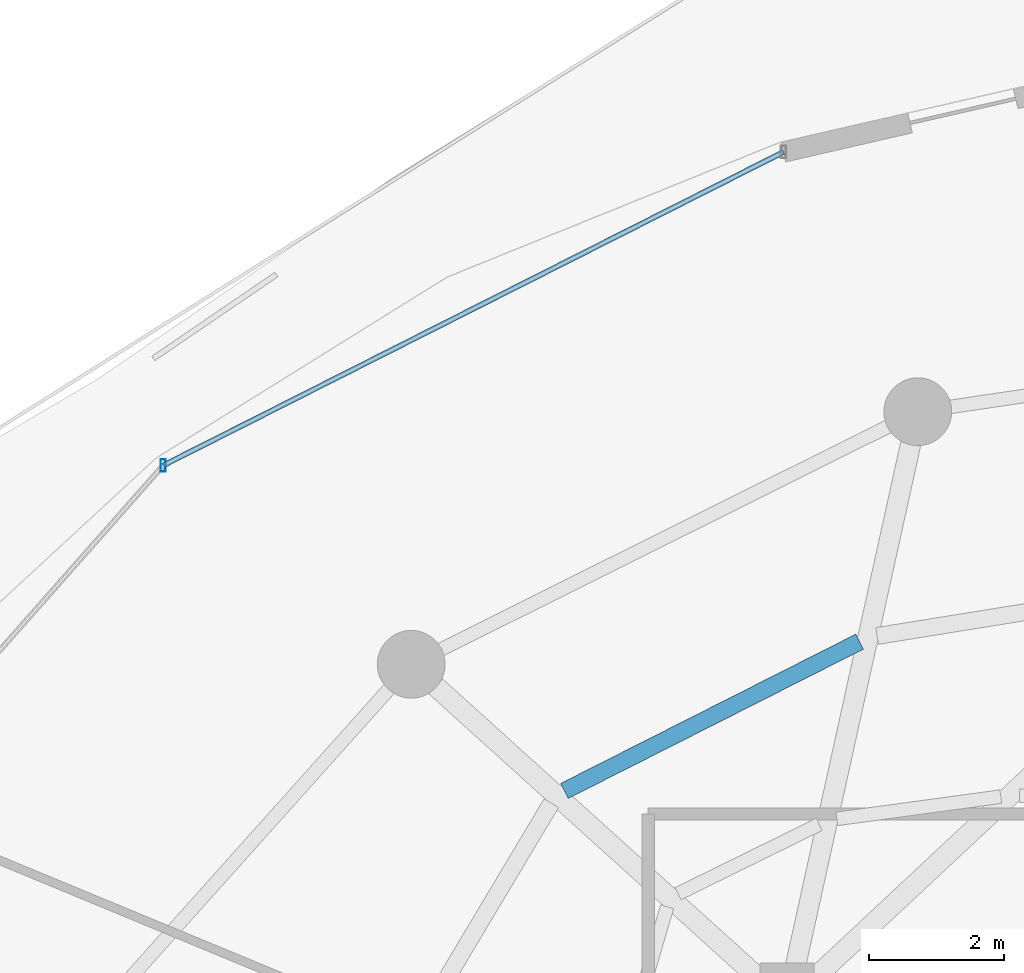
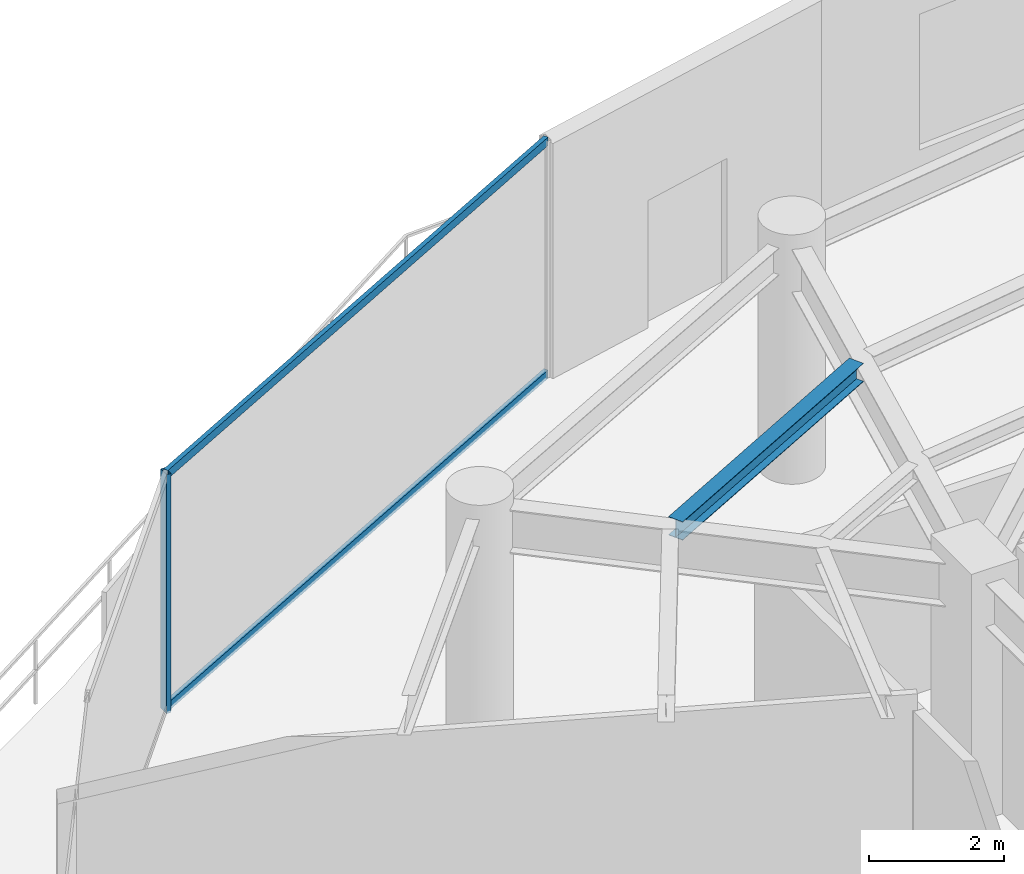
# One storey, part 18 of 31: 3 members, 1 beam, 1 element without a shape of its own.
"""IFC4 building model written with IfcOpenShell, lengths in metres."""

from ifc_helpers import new_model, si_unit, direction, frame, origin, origin_2d, place, context, subcontext, project, spatial, hollow_rectangle, i_section, extrude, material, material_profile, profile_set, type_object, element, aggregate, save


model = new_model("IFC4")

# Units and contexts
model_context = context("Model", 3, precision=1e-05, world=origin(), true_north=direction((0.0, 1.0)))
body_context = subcontext(model_context, "Body", "Model", "MODEL_VIEW")
ifc_project = project(units=[si_unit("LENGTHUNIT", "METRE"), si_unit("AREAUNIT", "SQUARE_METRE"), si_unit("VOLUMEUNIT", "CUBIC_METRE"), si_unit("PLANEANGLEUNIT", "RADIAN"), si_unit("MASSUNIT", "GRAM", prefix="KILO")], contexts=[model_context])

# Site, building, storey
site_placement = place(None, origin())
site = spatial("IfcSite", under=ifc_project, at=site_placement, CompositionType="ELEMENT")
building_placement = place(site_placement, origin())
building = spatial("IfcBuilding", under=site, at=building_placement, Name="Vorneva Point Tower", CompositionType="ELEMENT")
storey_placement = place(building_placement, frame((0.0, 0.0, 174.60009765625)))
storey = spatial("IfcBuildingStorey", under=building, at=storey_placement, Name="L47", CompositionType="ELEMENT", Elevation=174.60009765625)

# Beam
ifc_material_1 = material(Name="Steel S355", Category="steel")
ifc_material_profile_1 = material_profile(ifc_material_1, i_section(OverallWidth=0.2490234375, OverallDepth=0.333984375, WebThickness=0.008056640625, FlangeThickness=0.010986328125, at=origin_2d()), Name="35Sh1")
ifc_profile_set_1 = profile_set([ifc_material_profile_1], Name="Steel S355")
beam_type = type_object("IfcBeamType", Name="BM-SEC-35Sh1", PredefinedType="BEAM", material=ifc_profile_set_1)
beam_placement = place(storey_placement, frame((28.320556640625, 38.496337890625, 4.072998046875), z_axis=(-0.892388118376, -0.451268707292, 0.0), x_axis=(0.451268707292, -0.892388118376, 0.0)))
element("IfcBeam", 1, at=beam_placement, inside=storey, type_object=beam_type, Name="L47 Secondary Floor Beam 1.06", PredefinedType="BEAM", context=body_context, shape_type="SweptSolid", body=[
    extrude(i_section(OverallWidth=0.2490234375, OverallDepth=0.333984375, WebThickness=0.008056640625, FlangeThickness=0.010986328125, at=origin_2d()), origin(), (0.0, 0.0, 1.0), 4.883056640625),
])

# Curtain wall, members
ifc_material_2 = material(Name="Pale anodised aluminium", Category="aluminium")
curtain_wall_type = type_object("IfcCurtainWallType", Name="CW-SKY-SYS", PredefinedType="NOTDEFINED", material=ifc_material_2)
curtain_wall_placement = place(storey_placement, origin())
curtain_wall = element("IfcCurtainWall", 2, at=curtain_wall_placement, inside=storey, type_object=curtain_wall_type, Name="L47 Unitised Curtain Wall CW-L47-R03", PredefinedType="NOTDEFINED")
ifc_material_profile_2 = material_profile(ifc_material_2, hollow_rectangle(XDim=0.074951171875, YDim=0.179931640625, WallThickness=0.00390625, at=origin_2d()), Name="AL-MUL 180x75x4")
ifc_profile_set_2 = profile_set([ifc_material_profile_2], Name="Pale anodised aluminium")
member_type_1 = type_object("IfcMemberType", Name="CW-MUL-180", PredefinedType="MULLION", material=ifc_profile_set_2)
member_1_placement = place(storey_placement, frame((18.038330078125, 41.0966796875, -0.0400390625), z_axis=(0.0, 0.0, 1.0), x_axis=(1.0, 0.0, 0.0)))
member_1 = element("IfcMember", 3, at=member_1_placement, type_object=member_type_1, Name="CW-L47-R03 Mullion 02", PredefinedType="MULLION", context=body_context, shape_type="SweptSolid", body=[
    extrude(hollow_rectangle(XDim=0.074951171875, YDim=0.179931640625, WallThickness=0.00390625, at=origin_2d()), origin(), (0.0, 0.0, 1.0), 4.31005859375),
])
ifc_material_profile_3 = material_profile(ifc_material_2, hollow_rectangle(XDim=0.074951171875, YDim=0.14990234375, WallThickness=0.00390625, at=origin_2d()), Name="AL-TRN 150x75x4")
ifc_profile_set_3 = profile_set([ifc_material_profile_3], Name="Pale anodised aluminium")
member_type_2 = type_object("IfcMemberType", Name="CW-TRN-150", PredefinedType="USERDEFINED", material=ifc_profile_set_3)
member_2_placement = place(storey_placement, frame((27.19677734375, 45.724853515625, 0.02001953125), z_axis=(-0.892510927709, -0.451025768576, 0.0), x_axis=(0.451025768576, -0.892510927709, 0.0)))
member_2 = element("IfcMember", 4, at=member_2_placement, type_object=member_type_2, Name="CW-L47-R03 Transom 01.1", ObjectType="TRANSOM", PredefinedType="USERDEFINED", context=body_context, shape_type="SweptSolid", body=[
    extrude(hollow_rectangle(XDim=0.074951171875, YDim=0.14990234375, WallThickness=0.00390625, at=origin_2d()), origin(), (0.0, 0.0, 1.0), 10.261474609375),
])
member_3_placement = place(storey_placement, frame((27.19677734375, 45.724853515625, 4.219970703125), z_axis=(-0.892510927709, -0.451025768576, 0.0), x_axis=(0.451025768576, -0.892510927709, 0.0)))
member_3 = element("IfcMember", 5, at=member_3_placement, type_object=member_type_2, Name="CW-L47-R03 Transom 01.2", ObjectType="TRANSOM", PredefinedType="USERDEFINED", context=body_context, shape_type="SweptSolid", body=[
    extrude(hollow_rectangle(XDim=0.074951171875, YDim=0.14990234375, WallThickness=0.00390625, at=origin_2d()), origin(), (0.0, 0.0, 1.0), 10.261474609375),
])
aggregate(curtain_wall, [member_1, member_2, member_3])

save(model, "model.ifc")
